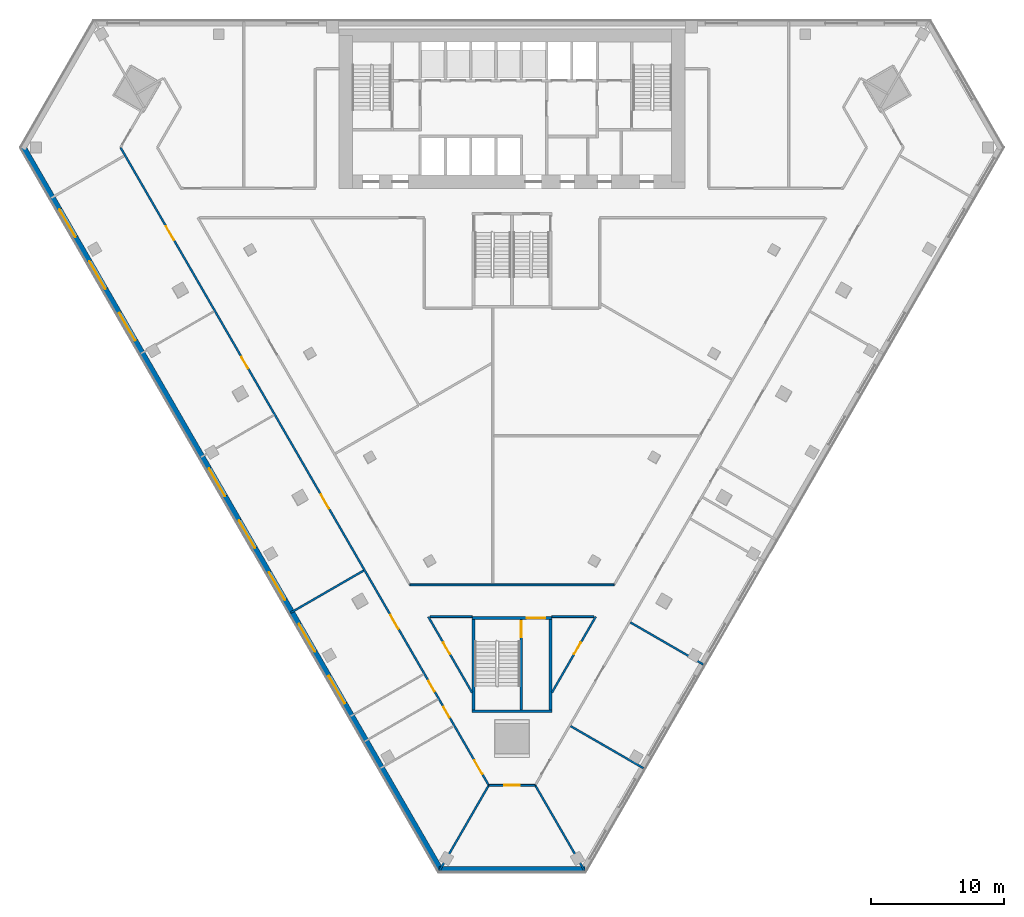
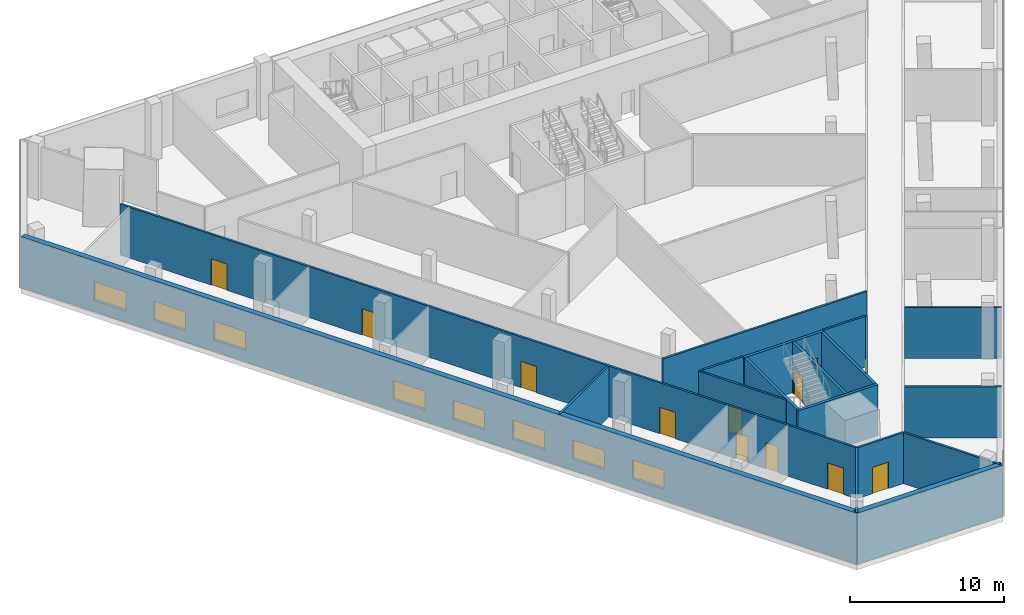
# One storey, part 2 of 9: 19 walls, 12 doors, 8 windows, 20 openings.
"""IFC4 building model written with IfcOpenShell, lengths in metres."""

from ifc_helpers import new_model, si_unit, direction, frame, frame_2d, origin, place, context, subcontext, project, spatial, rectangle, extrude, material, layer, layer_set, type_object, element, fill, save


model = new_model("IFC4")

# Units and contexts
model_context = context("Model", 3, precision=1e-05, world=origin(), true_north=direction((0.0, 1.0)))
body_context = subcontext(model_context, "Body", "Model", "MODEL_VIEW")
ifc_project = project(units=[si_unit("LENGTHUNIT", "METRE"), si_unit("AREAUNIT", "SQUARE_METRE"), si_unit("VOLUMEUNIT", "CUBIC_METRE"), si_unit("PLANEANGLEUNIT", "RADIAN"), si_unit("MASSUNIT", "GRAM", prefix="KILO")], contexts=[model_context])

# Site, building, storey
site_placement = place(None, origin())
site = spatial("IfcSite", under=ifc_project, at=site_placement, CompositionType="ELEMENT")
building_placement = place(site_placement, origin())
building = spatial("IfcBuilding", under=site, at=building_placement, Name="Altiplano Prism Tower", CompositionType="ELEMENT")
storey_placement = place(building_placement, frame((0.0, 0.0, 9.0)))
storey = spatial("IfcBuildingStorey", under=building, at=storey_placement, Name="L01", CompositionType="ELEMENT", Elevation=9.0)

# Wall, openings, doors
ifc_material_1 = material(Name="Plasterboard on steel stud", Category="steel")
ifc_layer_1 = layer(ifc_material_1, 0.14990234375)
ifc_layer_set_1 = layer_set([ifc_layer_1], Name="Plasterboard on steel stud")
wall_type_1 = type_object("IfcWallType", Name="Partition 150 corridor", PredefinedType="PARTITIONING", material=ifc_layer_set_1)
wall_1_placement = place(storey_placement, frame((55.5703125, 95.4736328125, 0.0), z_axis=(0.0, 0.0, 1.0), x_axis=(0.500000085768, -0.866025354266, 0.0)))
wall_1 = element("IfcWall", 1, at=wall_1_placement, inside=storey, type_object=wall_type_1, Name="Partition P06 L01 003", PredefinedType="PARTITIONING", context=body_context, shape_type="SweptSolid", body=[
    extrude(rectangle(XDim=55.36474609375, YDim=0.14990234375, at=frame_2d((27.682373046875, 0.0))), origin(), (0.0, 0.0, 1.0), 4.050048828125),
])
opening_1_placement = place(wall_1_placement, frame((6.83203125, 0.0, 0.0)))
opening_1 = element("IfcOpeningElement", 2, at=opening_1_placement, cuts=wall_1, Name="Opening D0023", PredefinedType="OPENING", context=body_context, shape_type="SweptSolid", body=[
    extrude(rectangle(XDim=1.199951171875, YDim=2.10009765625, at=frame_2d((0.60009765625, 1.050048828125))), frame((0.0, 0.08544921875, 0.0), z_axis=(0.0, -1.0, 0.0), x_axis=(1.0, 0.0, 0.0)), (0.0, 0.0, 1.0), 0.1708984375),
])
opening_2_placement = place(wall_1_placement, frame((18.181884765625, 0.0, 0.0)))
opening_2 = element("IfcOpeningElement", 3, at=opening_2_placement, cuts=wall_1, Name="Opening D0024", PredefinedType="OPENING", context=body_context, shape_type="SweptSolid", body=[
    extrude(rectangle(XDim=1.0, YDim=2.10009765625, at=frame_2d((0.5, 1.050048828125))), frame((0.0, 0.08544921875, 0.0), z_axis=(0.0, -1.0, 0.0), x_axis=(1.0, 0.0, 0.0)), (0.0, 0.0, 1.0), 0.1708984375),
])
opening_3_placement = place(wall_1_placement, frame((30.132080078125, 0.0, 0.0)))
opening_3 = element("IfcOpeningElement", 4, at=opening_3_placement, cuts=wall_1, Name="Opening D0025", PredefinedType="OPENING", context=body_context, shape_type="SweptSolid", body=[
    extrude(rectangle(XDim=1.199951171875, YDim=2.10009765625, at=frame_2d((0.60009765625, 1.050048828125))), frame((0.0, 0.08544921875, 0.0), z_axis=(0.0, -1.0, 0.0), x_axis=(1.0, 0.0, 0.0)), (0.0, 0.0, 1.0), 0.1708984375),
])
opening_4_placement = place(wall_1_placement, frame((40.58203125, 0.0, 0.0)))
opening_4 = element("IfcOpeningElement", 5, at=opening_4_placement, cuts=wall_1, Name="Opening D0026", PredefinedType="OPENING", context=body_context, shape_type="SweptSolid", body=[
    extrude(rectangle(XDim=1.199951171875, YDim=2.10009765625, at=frame_2d((0.60009765625, 1.050048828125))), frame((0.0, 0.08544921875, 0.0), z_axis=(0.0, -1.0, 0.0), x_axis=(1.0, 0.0, 0.0)), (0.0, 0.0, 1.0), 0.1708984375),
])
opening_5_placement = place(wall_1_placement, frame((46.31494140625, 0.0, 0.0)))
opening_5 = element("IfcOpeningElement", 6, at=opening_5_placement, cuts=wall_1, Name="Opening D0027", PredefinedType="OPENING", context=body_context, shape_type="SweptSolid", body=[
    extrude(rectangle(XDim=0.89990234375, YDim=2.10009765625, at=frame_2d((0.449951171875, 1.050048828125))), frame((0.0, 0.08544921875, 0.0), z_axis=(0.0, -1.0, 0.0), x_axis=(1.0, 0.0, 0.0)), (0.0, 0.0, 1.0), 0.1708984375),
])
opening_6_placement = place(wall_1_placement, frame((48.56494140625, 0.0, 0.0)))
opening_6 = element("IfcOpeningElement", 7, at=opening_6_placement, cuts=wall_1, Name="Opening D0028", PredefinedType="OPENING", context=body_context, shape_type="SweptSolid", body=[
    extrude(rectangle(XDim=0.89990234375, YDim=2.10009765625, at=frame_2d((0.449951171875, 1.050048828125))), frame((0.0, 0.08544921875, 0.0), z_axis=(0.0, -1.0, 0.0), x_axis=(1.0, 0.0, 0.0)), (0.0, 0.0, 1.0), 0.1708984375),
])
opening_7_placement = place(wall_1_placement, frame((53.195068359375, 0.0, 0.0)))
opening_7 = element("IfcOpeningElement", 8, at=opening_7_placement, cuts=wall_1, Name="Opening D0029", PredefinedType="OPENING", context=body_context, shape_type="SweptSolid", body=[
    extrude(rectangle(XDim=1.199951171875, YDim=2.10009765625, at=frame_2d((0.60009765625, 1.050048828125))), frame((0.0, 0.08544921875, 0.0), z_axis=(0.0, -1.0, 0.0), x_axis=(1.0, 0.0, 0.0)), (0.0, 0.0, 1.0), 0.1708984375),
])
ifc_material_2 = material(Name="Timber", Category="wood")
door_type_1 = type_object("IfcDoorType", Name="Room door 1000 x 2100", OperationType="NOTDEFINED", PredefinedType="NOTDEFINED", material=ifc_material_2)
door_1_placement = place(opening_2_placement, origin())
door_1 = element("IfcDoor", 9, at=door_1_placement, inside=storey, type_object=door_type_1, Name="Door D0024", OperationType="SINGLE_SWING_LEFT", OverallHeight=2.10009765625, OverallWidth=1.0, PredefinedType="NOTDEFINED", context=body_context, shape_type="SweptSolid", body=[
    extrude(rectangle(XDim=1.0, YDim=2.10009765625, at=frame_2d((0.5, 1.050048828125))), frame((0.0, 0.02490234375, 0.0), z_axis=(0.0, -1.0, 0.0), x_axis=(1.0, 0.0, 0.0)), (0.0, 0.0, 1.0), 0.050048828125),
])
fill(opening_2, door_1)
door_type_2 = type_object("IfcDoorType", Name="Shared room door 1200 x 2100", OperationType="NOTDEFINED", PredefinedType="NOTDEFINED", material=ifc_material_2)
door_2_placement = place(opening_1_placement, origin())
door_2 = element("IfcDoor", 10, at=door_2_placement, inside=storey, type_object=door_type_2, Name="Door D0023", OperationType="SINGLE_SWING_LEFT", OverallHeight=2.10009765625, OverallWidth=1.199951171875, PredefinedType="NOTDEFINED", context=body_context, shape_type="SweptSolid", body=[
    extrude(rectangle(XDim=1.199951171875, YDim=2.10009765625, at=frame_2d((0.60009765625, 1.050048828125))), frame((0.0, 0.02490234375, 0.0), z_axis=(0.0, -1.0, 0.0), x_axis=(1.0, 0.0, 0.0)), (0.0, 0.0, 1.0), 0.050048828125),
])
fill(opening_1, door_2)
door_3_placement = place(opening_3_placement, origin())
door_3 = element("IfcDoor", 11, at=door_3_placement, inside=storey, type_object=door_type_2, Name="Door D0025", OperationType="SINGLE_SWING_LEFT", OverallHeight=2.10009765625, OverallWidth=1.199951171875, PredefinedType="NOTDEFINED", context=body_context, shape_type="SweptSolid", body=[
    extrude(rectangle(XDim=1.199951171875, YDim=2.10009765625, at=frame_2d((0.60009765625, 1.050048828125))), frame((0.0, 0.02490234375, 0.0), z_axis=(0.0, -1.0, 0.0), x_axis=(1.0, 0.0, 0.0)), (0.0, 0.0, 1.0), 0.050048828125),
])
fill(opening_3, door_3)
door_4_placement = place(opening_4_placement, origin())
door_4 = element("IfcDoor", 12, at=door_4_placement, inside=storey, type_object=door_type_2, Name="Door D0026", OperationType="SINGLE_SWING_LEFT", OverallHeight=2.10009765625, OverallWidth=1.199951171875, PredefinedType="NOTDEFINED", context=body_context, shape_type="SweptSolid", body=[
    extrude(rectangle(XDim=1.199951171875, YDim=2.10009765625, at=frame_2d((0.60009765625, 1.050048828125))), frame((0.0, 0.02490234375, 0.0), z_axis=(0.0, -1.0, 0.0), x_axis=(1.0, 0.0, 0.0)), (0.0, 0.0, 1.0), 0.050048828125),
])
fill(opening_4, door_4)
door_5_placement = place(opening_7_placement, origin())
door_5 = element("IfcDoor", 13, at=door_5_placement, inside=storey, type_object=door_type_2, Name="Door D0029", OperationType="SINGLE_SWING_RIGHT", OverallHeight=2.10009765625, OverallWidth=1.199951171875, PredefinedType="NOTDEFINED", context=body_context, shape_type="SweptSolid", body=[
    extrude(rectangle(XDim=1.199951171875, YDim=2.10009765625, at=frame_2d((0.60009765625, 1.050048828125))), frame((0.0, 0.02490234375, 0.0), z_axis=(0.0, -1.0, 0.0), x_axis=(1.0, 0.0, 0.0)), (0.0, 0.0, 1.0), 0.050048828125),
])
fill(opening_7, door_5)
door_type_3 = type_object("IfcDoorType", Name="Toilet door 900 x 2100", OperationType="NOTDEFINED", PredefinedType="NOTDEFINED", material=ifc_material_2)
door_6_placement = place(opening_5_placement, origin())
door_6 = element("IfcDoor", 14, at=door_6_placement, inside=storey, type_object=door_type_3, Name="Door D0027", OperationType="SINGLE_SWING_RIGHT", OverallHeight=2.10009765625, OverallWidth=0.89990234375, PredefinedType="NOTDEFINED", context=body_context, shape_type="SweptSolid", body=[
    extrude(rectangle(XDim=0.89990234375, YDim=2.10009765625, at=frame_2d((0.449951171875, 1.050048828125))), frame((0.0, 0.02490234375, 0.0), z_axis=(0.0, -1.0, 0.0), x_axis=(1.0, 0.0, 0.0)), (0.0, 0.0, 1.0), 0.050048828125),
])
fill(opening_5, door_6)
door_7_placement = place(opening_6_placement, origin())
door_7 = element("IfcDoor", 15, at=door_7_placement, inside=storey, type_object=door_type_3, Name="Door D0028", OperationType="SINGLE_SWING_RIGHT", OverallHeight=2.10009765625, OverallWidth=0.89990234375, PredefinedType="NOTDEFINED", context=body_context, shape_type="SweptSolid", body=[
    extrude(rectangle(XDim=0.89990234375, YDim=2.10009765625, at=frame_2d((0.449951171875, 1.050048828125))), frame((0.0, 0.02490234375, 0.0), z_axis=(0.0, -1.0, 0.0), x_axis=(1.0, 0.0, 0.0)), (0.0, 0.0, 1.0), 0.050048828125),
])
fill(opening_6, door_7)

# Wall, opening, door
wall_2_placement = place(storey_placement, frame((83.252685546875, 47.5263671875, 0.0), z_axis=(0.0, 0.0, 1.0), x_axis=(1.0, 0.0, 0.0)))
wall_2 = element("IfcWall", 16, at=wall_2_placement, inside=storey, type_object=wall_type_1, Name="Partition P06 L01 004", PredefinedType="PARTITIONING", context=body_context, shape_type="SweptSolid", body=[
    extrude(rectangle(XDim=3.49462890625, YDim=0.14990234375, at=frame_2d((1.747314453125, 0.0))), origin(), (0.0, 0.0, 1.0), 4.050048828125),
])
opening_8_placement = place(wall_2_placement, frame((1.14697265625, 0.0, 0.0)))
opening_8 = element("IfcOpeningElement", 17, at=opening_8_placement, cuts=wall_2, Name="Opening D0030", PredefinedType="OPENING", context=body_context, shape_type="SweptSolid", body=[
    extrude(rectangle(XDim=1.199951171875, YDim=2.10009765625, at=frame_2d((0.60009765625, 1.050048828125))), frame((0.0, 0.08544921875, 0.0), z_axis=(0.0, -1.0, 0.0), x_axis=(1.0, 0.0, 0.0)), (0.0, 0.0, 1.0), 0.1708984375),
])
door_8_placement = place(opening_8_placement, origin())
door_8 = element("IfcDoor", 18, at=door_8_placement, inside=storey, type_object=door_type_2, Name="Door D0030", OperationType="SINGLE_SWING_LEFT", OverallHeight=2.10009765625, OverallWidth=1.199951171875, PredefinedType="NOTDEFINED", context=body_context, shape_type="SweptSolid", body=[
    extrude(rectangle(XDim=1.199951171875, YDim=2.10009765625, at=frame_2d((0.60009765625, 1.050048828125))), frame((0.0, 0.02490234375, 0.0), z_axis=(0.0, -1.0, 0.0), x_axis=(1.0, 0.0, 0.0)), (0.0, 0.0, 1.0), 0.050048828125),
])
fill(opening_8, door_8)

# Walls
wall_3_placement = place(storey_placement, frame((92.6787109375, 62.60009765625, 0.0), z_axis=(0.0, 0.0, 1.0), x_axis=(-1.0, 0.0, 0.0)))
element("IfcWall", 19, at=wall_3_placement, inside=storey, type_object=wall_type_1, Name="Partition P06 L01 010", PredefinedType="PARTITIONING", context=body_context, shape_type="SweptSolid", body=[
    extrude(rectangle(XDim=15.357421875, YDim=0.14990234375, at=frame_2d((7.6787109375, 0.0))), origin(), (0.0, 0.0, 1.0), 4.050048828125),
])
wall_4_placement = place(storey_placement, frame((88.0, 60.198974609375, 0.0), z_axis=(0.0, 0.0, 1.0), x_axis=(0.999999952341, 0.00030873725, 0.0)))
element("IfcWall", 20, at=wall_4_placement, inside=storey, type_object=wall_type_1, Name="Partition P06 L01 031", PredefinedType="PARTITIONING", context=body_context, shape_type="SweptSolid", body=[
    extrude(rectangle(XDim=3.1630859375, YDim=0.14990234375, at=frame_2d((1.58154296875, 0.0))), origin(), (0.0, 0.0, 1.0), 4.050048828125),
])

# Wall, opening, door
wall_5_placement = place(storey_placement, frame((91.293212890625, 60.199951171875, 0.0), z_axis=(0.0, 0.0, 1.0), x_axis=(-0.500010165703, -0.866019534533, 0.0)))
wall_5 = element("IfcWall", 21, at=wall_5_placement, inside=storey, type_object=wall_type_1, Name="Partition P06 L01 032", PredefinedType="PARTITIONING", context=body_context, shape_type="SweptSolid", body=[
    extrude(rectangle(XDim=6.586181640625, YDim=0.14990234375, at=frame_2d((3.29296875, 0.0))), origin(), (0.0, 0.0, 1.0), 4.050048828125),
])
opening_9_placement = place(wall_5_placement, frame((2.2451171875, 0.0, 0.0)))
opening_9 = element("IfcOpeningElement", 22, at=opening_9_placement, cuts=wall_5, Name="Opening D0049", PredefinedType="OPENING", context=body_context, shape_type="SweptSolid", body=[
    extrude(rectangle(XDim=1.0, YDim=2.10009765625, at=frame_2d((0.5, 1.050048828125))), frame((0.0, 0.08544921875, 0.0), z_axis=(0.0, -1.0, 0.0), x_axis=(1.0, 0.0, 0.0)), (0.0, 0.0, 1.0), 0.1708984375),
])
door_type_4 = type_object("IfcDoorType", Name="Store door 1000 x 2100", OperationType="NOTDEFINED", PredefinedType="NOTDEFINED", material=ifc_material_2)
door_9_placement = place(opening_9_placement, origin())
door_9 = element("IfcDoor", 23, at=door_9_placement, inside=storey, type_object=door_type_4, Name="Door D0049", OperationType="SINGLE_SWING_LEFT", OverallHeight=2.10009765625, OverallWidth=1.0, PredefinedType="NOTDEFINED", context=body_context, shape_type="SweptSolid", body=[
    extrude(rectangle(XDim=1.0, YDim=2.10009765625, at=frame_2d((0.5, 1.050048828125))), frame((0.0, 0.02490234375, 0.0), z_axis=(0.0, -1.0, 0.0), x_axis=(1.0, 0.0, 0.0)), (0.0, 0.0, 1.0), 0.050048828125),
])
fill(opening_9, door_9)

wall_6_placement = place(storey_placement, frame((82.0, 54.49609375, 0.0), z_axis=(0.0, 0.0, 1.0), x_axis=(-0.500010165703, 0.866019534533, 0.0)))
wall_6 = element("IfcWall", 24, at=wall_6_placement, inside=storey, type_object=wall_type_1, Name="Partition P06 L01 033", PredefinedType="PARTITIONING", context=body_context, shape_type="SweptSolid", body=[
    extrude(rectangle(XDim=6.586181640625, YDim=0.14990234375, at=frame_2d((3.29296875, 0.0))), origin(), (0.0, 0.0, 1.0), 4.050048828125),
])
opening_10_placement = place(wall_6_placement, frame((3.342041015625, 0.0, 0.0)))
opening_10 = element("IfcOpeningElement", 25, at=opening_10_placement, cuts=wall_6, Name="Opening D0050", PredefinedType="OPENING", context=body_context, shape_type="SweptSolid", body=[
    extrude(rectangle(XDim=1.0, YDim=2.10009765625, at=frame_2d((0.5, 1.050048828125))), frame((0.0, 0.08544921875, 0.0), z_axis=(0.0, -1.0, 0.0), x_axis=(1.0, 0.0, 0.0)), (0.0, 0.0, 1.0), 0.1708984375),
])
door_10_placement = place(opening_10_placement, origin())
door_10 = element("IfcDoor", 26, at=door_10_placement, inside=storey, type_object=door_type_4, Name="Door D0050", OperationType="SINGLE_SWING_LEFT", OverallHeight=2.10009765625, OverallWidth=1.0, PredefinedType="NOTDEFINED", context=body_context, shape_type="SweptSolid", body=[
    extrude(rectangle(XDim=1.0, YDim=2.10009765625, at=frame_2d((0.5, 1.050048828125))), frame((0.0, 0.02490234375, 0.0), z_axis=(0.0, -1.0, 0.0), x_axis=(1.0, 0.0, 0.0)), (0.0, 0.0, 1.0), 0.050048828125),
])
fill(opening_10, door_10)

# Walls
wall_7_placement = place(storey_placement, frame((78.8369140625, 60.199951171875, 0.0), z_axis=(0.0, 0.0, 1.0), x_axis=(0.999999952341, -0.00030873725, 0.0)))
element("IfcWall", 27, at=wall_7_placement, inside=storey, type_object=wall_type_1, Name="Partition P06 L01 034", PredefinedType="PARTITIONING", context=body_context, shape_type="SweptSolid", body=[
    extrude(rectangle(XDim=3.1630859375, YDim=0.14990234375, at=frame_2d((1.58154296875, 0.0))), origin(), (0.0, 0.0, 1.0), 4.050048828125),
])
ifc_layer_2 = layer(ifc_material_1, 0.14990234375)
ifc_layer_set_2 = layer_set([ifc_layer_2], Name="Plasterboard on steel stud")
wall_type_2 = type_object("IfcWallType", Name="Partition 150 party", PredefinedType="PARTITIONING", material=ifc_layer_set_2)
wall_8_placement = place(storey_placement, frame((68.368896484375, 60.505859375, 0.0), z_axis=(0.0, 0.0, 1.0), x_axis=(0.866042250622, 0.499970819286, 0.0)))
element("IfcWall", 28, at=wall_8_placement, inside=storey, type_object=wall_type_2, Name="Partition P01 L01 039", PredefinedType="PARTITIONING", context=body_context, shape_type="SweptSolid", body=[
    extrude(rectangle(XDim=6.3251953125, YDim=0.14990234375, at=frame_2d((3.16259765625, 0.0))), origin(), (0.0, 0.0, 1.0), 4.050048828125),
])
for number, where, z_axis, x_axis, name in (
    (29, (79.557861328125, 41.126220703125, 0.0), (0.0, 0.0, 1.0), (0.499969342782, 0.866043103014, 0.0), "Partition P01 L01 043"),
    (30, (90.4423828125, 41.126220703125, 0.0), (0.0, 0.0, 1.0), (-0.499994120305, 0.866028798401, 0.0), "Partition P01 L01 044"),
):
    element("IfcWall", number, at=place(storey_placement, frame(where, z_axis=z_axis, x_axis=x_axis)), inside=storey, type_object=wall_type_2, Name=name, PredefinedType="PARTITIONING", context=body_context, shape_type="SweptSolid", body=[
        extrude(rectangle(XDim=7.39013671875, YDim=0.14990234375, at=frame_2d((3.695068359375, 0.0))), origin(), (0.0, 0.0, 1.0), 4.050048828125),
    ])
for number, where, z_axis, x_axis, name in (
    (31, (94.881103515625, 48.814453125, 0.0), (0.0, 0.0, 1.0), (-0.866042250622, 0.499970819286, 0.0), "Partition P01 L01 045"),
    (32, (99.381103515625, 56.608642578125, 0.0), (0.0, 0.0, 1.0), (-0.866025537322, 0.499999768706, 0.0), "Partition P01 L01 046"),
):
    element("IfcWall", number, at=place(storey_placement, frame(where, z_axis=z_axis, x_axis=x_axis)), inside=storey, type_object=wall_type_2, Name=name, PredefinedType="PARTITIONING", context=body_context, shape_type="SweptSolid", body=[
        extrude(rectangle(XDim=6.3251953125, YDim=0.14990234375, at=frame_2d((3.16259765625, 0.0))), origin(), (0.0, 0.0, 1.0), 4.050048828125),
    ])

# Wall, opening, door
ifc_material_3 = material(Name="Concrete C60/75", Category="concrete")
ifc_layer_3 = layer(ifc_material_3, 0.199951171875)
ifc_layer_set_3 = layer_set([ifc_layer_3], Name="Concrete C60/75")
wall_type_3 = type_object("IfcWallType", Name="Stair wall 200", PredefinedType="SOLIDWALL", material=ifc_layer_set_3)
wall_9_placement = place(storey_placement, frame((82.0, 60.10009765625, 0.0), z_axis=(0.0, 0.0, 1.0), x_axis=(1.0, 0.0, 0.0)))
wall_9 = element("IfcWall", 33, at=wall_9_placement, inside=storey, type_object=wall_type_3, Name="Stair 4 wall north L01", PredefinedType="SOLIDWALL", context=body_context, shape_type="SweptSolid", body=[
    extrude(rectangle(XDim=6.0, YDim=0.199951171875, at=frame_2d((3.0, 0.0))), origin(), (0.0, 0.0, 1.0), 4.050048828125),
])
opening_11_placement = place(wall_9_placement, frame((4.10009765625, 0.0, 0.0)))
opening_11 = element("IfcOpeningElement", 34, at=opening_11_placement, cuts=wall_9, Name="Opening D4069", PredefinedType="OPENING", context=body_context, shape_type="SweptSolid", body=[
    extrude(rectangle(XDim=1.39990234375, YDim=2.10009765625, at=frame_2d((0.699951171875, 1.050048828125))), frame((0.0, 0.1103515625, 0.0), z_axis=(0.0, -1.0, 0.0), x_axis=(1.0, 0.0, 0.0)), (0.0, 0.0, 1.0), 0.220947265625),
])
ifc_material_4 = material(Name="Fire-rated steel door", Category="steel")
door_type_5 = type_object("IfcDoorType", Name="Stair fire door 1400 x 2100", OperationType="NOTDEFINED", PredefinedType="NOTDEFINED", material=ifc_material_4)
door_11_placement = place(opening_11_placement, origin())
door_11 = element("IfcDoor", 35, at=door_11_placement, inside=storey, type_object=door_type_5, Name="Stair fire door D4069", OperationType="SINGLE_SWING_LEFT", OverallHeight=2.10009765625, OverallWidth=1.39990234375, PredefinedType="NOTDEFINED", context=body_context, shape_type="SweptSolid", body=[
    extrude(rectangle(XDim=1.39990234375, YDim=2.10009765625, at=frame_2d((0.699951171875, 1.050048828125))), frame((0.0, 0.02490234375, 0.0), z_axis=(0.0, -1.0, 0.0), x_axis=(1.0, 0.0, 0.0)), (0.0, 0.0, 1.0), 0.050048828125),
])
fill(opening_11, door_11)

# Walls
wall_10_placement = place(storey_placement, frame((82.0, 53.10009765625, 0.0), z_axis=(0.0, 0.0, 1.0), x_axis=(1.0, 0.0, 0.0)))
element("IfcWall", 36, at=wall_10_placement, inside=storey, type_object=wall_type_3, Name="Stair 4 wall south L01", PredefinedType="SOLIDWALL", context=body_context, shape_type="SweptSolid", body=[
    extrude(rectangle(XDim=6.0, YDim=0.199951171875, at=frame_2d((3.0, 0.0))), origin(), (0.0, 0.0, 1.0), 4.050048828125),
])
for number, where, z_axis, x_axis, name in (
    (37, (82.10009765625, 53.199951171875, 0.0), (0.0, 0.0, 1.0), (0.0, 1.0, 0.0), "Stair 4 wall west L01"),
    (38, (87.89990234375, 53.199951171875, 0.0), (0.0, 0.0, 1.0), (0.0, 1.0, 0.0), "Stair 4 wall east L01"),
):
    element("IfcWall", number, at=place(storey_placement, frame(where, z_axis=z_axis, x_axis=x_axis)), inside=storey, type_object=wall_type_3, Name=name, PredefinedType="SOLIDWALL", context=body_context, shape_type="SweptSolid", body=[
        extrude(rectangle(XDim=6.800048828125, YDim=0.199951171875, at=frame_2d((3.39990234375, 0.0))), origin(), (0.0, 0.0, 1.0), 4.050048828125),
    ])

# Wall, opening, door
wall_11_placement = place(storey_placement, frame((85.699951171875, 53.199951171875, 0.0), z_axis=(0.0, 0.0, 1.0), x_axis=(0.0, 1.0, 0.0)))
wall_11 = element("IfcWall", 39, at=wall_11_placement, inside=storey, type_object=wall_type_3, Name="Stair 4 wall divider L01", PredefinedType="SOLIDWALL", context=body_context, shape_type="SweptSolid", body=[
    extrude(rectangle(XDim=6.800048828125, YDim=0.199951171875, at=frame_2d((3.39990234375, 0.0))), origin(), (0.0, 0.0, 1.0), 4.050048828125),
])
opening_12_placement = place(wall_11_placement, frame((5.449951171875, 0.0, 0.0)))
opening_12 = element("IfcOpeningElement", 40, at=opening_12_placement, cuts=wall_11, Name="Opening D4070", PredefinedType="OPENING", context=body_context, shape_type="SweptSolid", body=[
    extrude(rectangle(XDim=1.199951171875, YDim=2.10009765625, at=frame_2d((0.60009765625, 1.050048828125))), frame((0.0, 0.1103515625, 0.0), z_axis=(0.0, -1.0, 0.0), x_axis=(1.0, 0.0, 0.0)), (0.0, 0.0, 1.0), 0.220947265625),
])
door_type_6 = type_object("IfcDoorType", Name="Stair fire door 1200 x 2100", OperationType="NOTDEFINED", PredefinedType="NOTDEFINED", material=ifc_material_4)
door_12_placement = place(opening_12_placement, frame((1.199951171875, 0.0, 0.0), z_axis=(0.0, 0.0, 1.0), x_axis=(-1.0, 0.0, 0.0)))
door_12 = element("IfcDoor", 41, at=door_12_placement, inside=storey, type_object=door_type_6, Name="Stair fire door D4070", OperationType="SINGLE_SWING_LEFT", OverallHeight=2.10009765625, OverallWidth=1.199951171875, PredefinedType="NOTDEFINED", context=body_context, shape_type="SweptSolid", body=[
    extrude(rectangle(XDim=1.199951171875, YDim=2.10009765625, at=frame_2d((0.60009765625, 1.050048828125))), frame((0.0, 0.02490234375, 0.0), z_axis=(0.0, -1.0, 0.0), x_axis=(1.0, 0.0, 0.0)), (0.0, 0.0, 1.0), 0.050048828125),
])
fill(opening_12, door_12)

# Wall, openings, windows
ifc_material_5 = material(Name="Concrete C40", Category="concrete")
ifc_layer_4 = layer(ifc_material_5, 0.39990234375)
ifc_layer_set_4 = layer_set([ifc_layer_4], Name="Concrete C40")
wall_type_4 = type_object("IfcWallType", Name="Stone-clad podium wall 400", PredefinedType="SOLIDWALL", material=ifc_layer_set_4)
wall_12_placement = place(storey_placement, frame((79.673095703125, 41.126220703125, 0.0), z_axis=(0.0, 0.0, 1.0), x_axis=(-0.499997306052, 0.866026959131, 0.0)))
wall_12 = element("IfcWall", 42, at=wall_12_placement, inside=storey, type_object=wall_type_4, Name="External wall south-west face L01", PredefinedType="SOLIDWALL", context=body_context, shape_type="SweptSolid", body=[
    extrude(rectangle(XDim=62.870361328125, YDim=0.39990234375, at=frame_2d((31.43505859375, 0.0))), origin(), (0.0, 0.0, 1.0), 4.050048828125),
])
opening_13_placement = place(wall_12_placement, frame((54.985595703125, 0.0, 0.89990234375)))
opening_13 = element("IfcOpeningElement", 43, at=opening_13_placement, cuts=wall_12, Name="Opening W1", PredefinedType="OPENING", context=body_context, shape_type="SweptSolid", body=[
    extrude(rectangle(XDim=2.39990234375, YDim=1.5, at=frame_2d((1.199951171875, 0.75))), frame((0.0, 0.21044921875, 0.0), z_axis=(0.0, -1.0, 0.0), x_axis=(1.0, 0.0, 0.0)), (0.0, 0.0, 1.0), 0.4208984375),
])
opening_14_placement = place(wall_12_placement, frame((50.485595703125, 0.0, 0.89990234375)))
opening_14 = element("IfcOpeningElement", 44, at=opening_14_placement, cuts=wall_12, Name="Opening W1", PredefinedType="OPENING", context=body_context, shape_type="SweptSolid", body=[
    extrude(rectangle(XDim=2.39990234375, YDim=1.5, at=frame_2d((1.199951171875, 0.75))), frame((0.0, 0.21044921875, 0.0), z_axis=(0.0, -1.0, 0.0), x_axis=(1.0, 0.0, 0.0)), (0.0, 0.0, 1.0), 0.4208984375),
])
opening_15_placement = place(wall_12_placement, frame((45.985595703125, 0.0, 0.89990234375)))
opening_15 = element("IfcOpeningElement", 45, at=opening_15_placement, cuts=wall_12, Name="Opening W1", PredefinedType="OPENING", context=body_context, shape_type="SweptSolid", body=[
    extrude(rectangle(XDim=2.39990234375, YDim=1.5, at=frame_2d((1.199951171875, 0.75))), frame((0.0, 0.21044921875, 0.0), z_axis=(0.0, -1.0, 0.0), x_axis=(1.0, 0.0, 0.0)), (0.0, 0.0, 1.0), 0.4208984375),
])
opening_16_placement = place(wall_12_placement, frame((32.485595703125, 0.0, 0.89990234375)))
opening_16 = element("IfcOpeningElement", 46, at=opening_16_placement, cuts=wall_12, Name="Opening W1", PredefinedType="OPENING", context=body_context, shape_type="SweptSolid", body=[
    extrude(rectangle(XDim=2.39990234375, YDim=1.5, at=frame_2d((1.199951171875, 0.75))), frame((0.0, 0.21044921875, 0.0), z_axis=(0.0, -1.0, 0.0), x_axis=(1.0, 0.0, 0.0)), (0.0, 0.0, 1.0), 0.4208984375),
])
opening_17_placement = place(wall_12_placement, frame((27.985595703125, 0.0, 0.89990234375)))
opening_17 = element("IfcOpeningElement", 47, at=opening_17_placement, cuts=wall_12, Name="Opening W1", PredefinedType="OPENING", context=body_context, shape_type="SweptSolid", body=[
    extrude(rectangle(XDim=2.39990234375, YDim=1.5, at=frame_2d((1.199951171875, 0.75))), frame((0.0, 0.21044921875, 0.0), z_axis=(0.0, -1.0, 0.0), x_axis=(1.0, 0.0, 0.0)), (0.0, 0.0, 1.0), 0.4208984375),
])
opening_18_placement = place(wall_12_placement, frame((23.485595703125, 0.0, 0.89990234375)))
opening_18 = element("IfcOpeningElement", 48, at=opening_18_placement, cuts=wall_12, Name="Opening W1", PredefinedType="OPENING", context=body_context, shape_type="SweptSolid", body=[
    extrude(rectangle(XDim=2.39990234375, YDim=1.5, at=frame_2d((1.199951171875, 0.75))), frame((0.0, 0.21044921875, 0.0), z_axis=(0.0, -1.0, 0.0), x_axis=(1.0, 0.0, 0.0)), (0.0, 0.0, 1.0), 0.4208984375),
])
opening_19_placement = place(wall_12_placement, frame((18.985595703125, 0.0, 0.89990234375)))
opening_19 = element("IfcOpeningElement", 49, at=opening_19_placement, cuts=wall_12, Name="Opening W1", PredefinedType="OPENING", context=body_context, shape_type="SweptSolid", body=[
    extrude(rectangle(XDim=2.39990234375, YDim=1.5, at=frame_2d((1.199951171875, 0.75))), frame((0.0, 0.21044921875, 0.0), z_axis=(0.0, -1.0, 0.0), x_axis=(1.0, 0.0, 0.0)), (0.0, 0.0, 1.0), 0.4208984375),
])
opening_20_placement = place(wall_12_placement, frame((14.485595703125, 0.0, 0.89990234375)))
opening_20 = element("IfcOpeningElement", 50, at=opening_20_placement, cuts=wall_12, Name="Opening W1", PredefinedType="OPENING", context=body_context, shape_type="SweptSolid", body=[
    extrude(rectangle(XDim=2.39990234375, YDim=1.5, at=frame_2d((1.199951171875, 0.75))), frame((0.0, 0.21044921875, 0.0), z_axis=(0.0, -1.0, 0.0), x_axis=(1.0, 0.0, 0.0)), (0.0, 0.0, 1.0), 0.4208984375),
])
ifc_material_6 = material(Name="Glass", Category="glass")
window_type = type_object("IfcWindowType", Name="Window 2400 x 1500", PartitioningType="SINGLE_PANEL", PredefinedType="WINDOW", material=ifc_material_6)
window_1_placement = place(opening_13_placement, origin())
window_1 = element("IfcWindow", 51, at=window_1_placement, inside=storey, type_object=window_type, Name="Podium window L01", OverallHeight=1.5, OverallWidth=2.39990234375, PartitioningType="SINGLE_PANEL", PredefinedType="WINDOW", context=body_context, shape_type="SweptSolid", body=[
    extrude(rectangle(XDim=2.39990234375, YDim=1.5, at=frame_2d((1.199951171875, 0.75))), frame((0.0, 0.030029296875, 0.0), z_axis=(0.0, -1.0, 0.0), x_axis=(1.0, 0.0, 0.0)), (0.0, 0.0, 1.0), 0.06005859375),
])
fill(opening_13, window_1)
window_2_placement = place(opening_14_placement, origin())
window_2 = element("IfcWindow", 52, at=window_2_placement, inside=storey, type_object=window_type, Name="Podium window L01", OverallHeight=1.5, OverallWidth=2.39990234375, PartitioningType="SINGLE_PANEL", PredefinedType="WINDOW", context=body_context, shape_type="SweptSolid", body=[
    extrude(rectangle(XDim=2.39990234375, YDim=1.5, at=frame_2d((1.199951171875, 0.75))), frame((0.0, 0.030029296875, 0.0), z_axis=(0.0, -1.0, 0.0), x_axis=(1.0, 0.0, 0.0)), (0.0, 0.0, 1.0), 0.06005859375),
])
fill(opening_14, window_2)
window_3_placement = place(opening_15_placement, origin())
window_3 = element("IfcWindow", 53, at=window_3_placement, inside=storey, type_object=window_type, Name="Podium window L01", OverallHeight=1.5, OverallWidth=2.39990234375, PartitioningType="SINGLE_PANEL", PredefinedType="WINDOW", context=body_context, shape_type="SweptSolid", body=[
    extrude(rectangle(XDim=2.39990234375, YDim=1.5, at=frame_2d((1.199951171875, 0.75))), frame((0.0, 0.030029296875, 0.0), z_axis=(0.0, -1.0, 0.0), x_axis=(1.0, 0.0, 0.0)), (0.0, 0.0, 1.0), 0.06005859375),
])
fill(opening_15, window_3)
window_4_placement = place(opening_16_placement, origin())
window_4 = element("IfcWindow", 54, at=window_4_placement, inside=storey, type_object=window_type, Name="Podium window L01", OverallHeight=1.5, OverallWidth=2.39990234375, PartitioningType="SINGLE_PANEL", PredefinedType="WINDOW", context=body_context, shape_type="SweptSolid", body=[
    extrude(rectangle(XDim=2.39990234375, YDim=1.5, at=frame_2d((1.199951171875, 0.75))), frame((0.0, 0.030029296875, 0.0), z_axis=(0.0, -1.0, 0.0), x_axis=(1.0, 0.0, 0.0)), (0.0, 0.0, 1.0), 0.06005859375),
])
fill(opening_16, window_4)
window_5_placement = place(opening_17_placement, origin())
window_5 = element("IfcWindow", 55, at=window_5_placement, inside=storey, type_object=window_type, Name="Podium window L01", OverallHeight=1.5, OverallWidth=2.39990234375, PartitioningType="SINGLE_PANEL", PredefinedType="WINDOW", context=body_context, shape_type="SweptSolid", body=[
    extrude(rectangle(XDim=2.39990234375, YDim=1.5, at=frame_2d((1.199951171875, 0.75))), frame((0.0, 0.030029296875, 0.0), z_axis=(0.0, -1.0, 0.0), x_axis=(1.0, 0.0, 0.0)), (0.0, 0.0, 1.0), 0.06005859375),
])
fill(opening_17, window_5)
window_6_placement = place(opening_18_placement, origin())
window_6 = element("IfcWindow", 56, at=window_6_placement, inside=storey, type_object=window_type, Name="Podium window L01", OverallHeight=1.5, OverallWidth=2.39990234375, PartitioningType="SINGLE_PANEL", PredefinedType="WINDOW", context=body_context, shape_type="SweptSolid", body=[
    extrude(rectangle(XDim=2.39990234375, YDim=1.5, at=frame_2d((1.199951171875, 0.75))), frame((0.0, 0.030029296875, 0.0), z_axis=(0.0, -1.0, 0.0), x_axis=(1.0, 0.0, 0.0)), (0.0, 0.0, 1.0), 0.06005859375),
])
fill(opening_18, window_6)
window_7_placement = place(opening_19_placement, origin())
window_7 = element("IfcWindow", 57, at=window_7_placement, inside=storey, type_object=window_type, Name="Podium window L01", OverallHeight=1.5, OverallWidth=2.39990234375, PartitioningType="SINGLE_PANEL", PredefinedType="WINDOW", context=body_context, shape_type="SweptSolid", body=[
    extrude(rectangle(XDim=2.39990234375, YDim=1.5, at=frame_2d((1.199951171875, 0.75))), frame((0.0, 0.030029296875, 0.0), z_axis=(0.0, -1.0, 0.0), x_axis=(1.0, 0.0, 0.0)), (0.0, 0.0, 1.0), 0.06005859375),
])
fill(opening_19, window_7)
window_8_placement = place(opening_20_placement, origin())
window_8 = element("IfcWindow", 58, at=window_8_placement, inside=storey, type_object=window_type, Name="Podium window L01", OverallHeight=1.5, OverallWidth=2.39990234375, PartitioningType="SINGLE_PANEL", PredefinedType="WINDOW", context=body_context, shape_type="SweptSolid", body=[
    extrude(rectangle(XDim=2.39990234375, YDim=1.5, at=frame_2d((1.199951171875, 0.75))), frame((0.0, 0.030029296875, 0.0), z_axis=(0.0, -1.0, 0.0), x_axis=(1.0, 0.0, 0.0)), (0.0, 0.0, 1.0), 0.06005859375),
])
fill(opening_20, window_8)

# Wall
wall_13_placement = place(storey_placement, frame((90.5, 41.226318359375, 0.0), z_axis=(0.0, 0.0, 1.0), x_axis=(-1.0, 0.0, 0.0)))
element("IfcWall", 59, at=wall_13_placement, inside=storey, type_object=wall_type_4, Name="External wall south chamfer L01", PredefinedType="SOLIDWALL", context=body_context, shape_type="SweptSolid", body=[
    extrude(rectangle(XDim=11.0, YDim=0.39990234375, at=frame_2d((5.5, 0.0))), origin(), (0.0, 0.0, 1.0), 4.050048828125),
])

save(model, "model.ifc")
